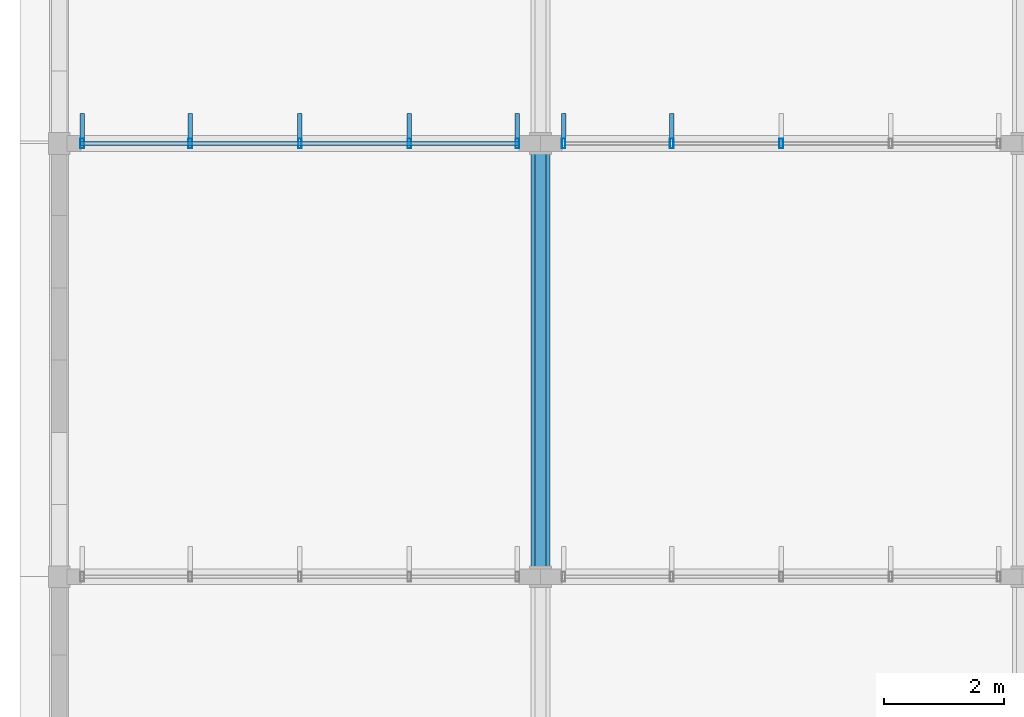
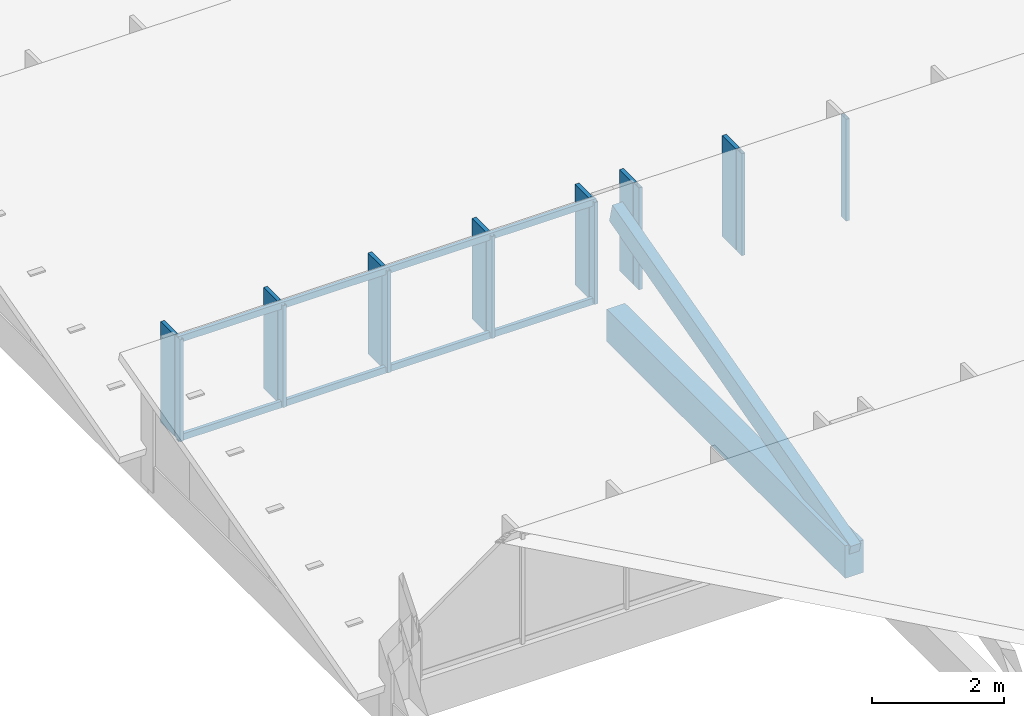
# One storey, part 26 of 94: 19 members, 2 elements without a shape of their own.
"""IFC4 building model written with IfcOpenShell, lengths in metres."""

import ifcopenshell
import ifcopenshell.guid

model = None  # the IFC model being written
_history = None  # IfcOwnerHistory: only IFC2X3 demands one
_inside = {}  # id of a spatial element -> (the spatial element, [elements in it])
_under = {}  # id of a project, library or spatial element -> (it, [spatial elements below it])
_declared = {}  # id of a project -> (the project, [libraries it declares])
_typed = {}  # id of a type object -> (the type object, [elements of that type])
_made_of = {}  # id of a material, layer set ... -> (it, [elements and type objects made of it])


def new_model(schema):
    """Start an empty IFC model of exactly this schema.

    Asked for "IFC4X3", IfcOpenShell would pick the latest addendum, in which some entities
    have other attributes; the version numbers below select the first issue.
    IFC2X3 requires an IfcOwnerHistory on every rooted entity: one is made here for all.
    """
    global model, _history
    if schema == "IFC4X3":
        model = ifcopenshell.file(schema_version=(4, 3, 0, 0))
    else:
        model = ifcopenshell.file(schema=schema)
    _inside.clear()
    _under.clear()
    _declared.clear()
    _typed.clear()
    _made_of.clear()
    _history = None
    if model.schema == "IFC2X3":
        org = make("IfcOrganization", Name="unknown")
        user = make(
            "IfcPersonAndOrganization",
            ThePerson=make("IfcPerson", FamilyName="unknown"),
            TheOrganization=org,
        )
        app = make(
            "IfcApplication",
            ApplicationDeveloper=org,
            Version="unknown",
            ApplicationFullName="unknown",
            ApplicationIdentifier="unknown",
        )
        _history = make(
            "IfcOwnerHistory",
            OwningUser=user,
            OwningApplication=app,
            ChangeAction="ADDED",
            CreationDate=0,
        )
    return model


def make(cls, **values):
    """One entity of the class cls with the attributes given. An attribute that is None is left unset."""
    return model.create_entity(
        cls, **{name: value for name, value in values.items() if value is not None}
    )


def rooted(cls, **values):
    """An entity with a GlobalId (a new one), such as an element, a storey or a relation."""
    return make(cls, GlobalId=ifcopenshell.guid.new(), OwnerHistory=_history, **values)


def si_unit(unit_type, name, prefix=None):
    """IfcSIUnit, for example si_unit("LENGTHUNIT", "METRE", prefix="MILLI")."""
    return make("IfcSIUnit", UnitType=unit_type, Prefix=prefix, Name=name)


def assignment(units):
    """IfcUnitAssignment: the units of a project."""
    return None if units is None else make("IfcUnitAssignment", Units=units)


def point(xyz):
    """IfcCartesianPoint."""
    return None if xyz is None else make("IfcCartesianPoint", Coordinates=xyz)


def direction(xyz):
    """IfcDirection."""
    return None if xyz is None else make("IfcDirection", DirectionRatios=xyz)


def frame(location, z_axis=None, x_axis=None):
    """IfcAxis2Placement3D, a coordinate frame: its origin and axes. An axis left out is left unset."""
    return make(
        "IfcAxis2Placement3D",
        Location=point(location),
        Axis=direction(z_axis),
        RefDirection=direction(x_axis),
    )


def frame_2d(location, x_axis=None):
    """IfcAxis2Placement2D, a coordinate frame in the plane: its origin and x axis."""
    return make(
        "IfcAxis2Placement2D", Location=point(location), RefDirection=direction(x_axis)
    )


def origin():
    """The frame at (0, 0, 0) with its axes left unset."""
    return frame((0.0, 0.0, 0.0))


def origin_2d():
    """The frame at (0, 0) in the plane with its x axis left unset."""
    return frame_2d((0.0, 0.0))


def place(relative_to, where):
    """IfcLocalPlacement: puts the frame where relative to a parent placement (None: the world)."""
    return make(
        "IfcLocalPlacement", PlacementRelTo=relative_to, RelativePlacement=where
    )


def context(
    kind, dimensions, precision=None, world=None, true_north=None, identifier=None
):
    """IfcGeometricRepresentationContext, for example the 3D "Model" context."""
    return make(
        "IfcGeometricRepresentationContext",
        ContextIdentifier=identifier,
        ContextType=kind,
        CoordinateSpaceDimension=dimensions,
        Precision=precision,
        WorldCoordinateSystem=world,
        TrueNorth=true_north,
    )


def subcontext(parent, identifier, kind, view, scale=None):
    """IfcGeometricRepresentationSubContext, for example "Body" below "Model"."""
    return make(
        "IfcGeometricRepresentationSubContext",
        ContextIdentifier=identifier,
        ContextType=kind,
        ParentContext=parent,
        TargetScale=scale,
        TargetView=view,
    )


def project(units=None, contexts=None):
    """IfcProject with its units and contexts."""
    return rooted(
        "IfcProject",
        Name="project",
        RepresentationContexts=contexts,
        UnitsInContext=assignment(units),
    )


def spatial(cls, under=None, at=None, **own):
    """A site, building, storey or space (cls), placed at a placement, below another one or the project."""
    s = rooted(cls, ObjectPlacement=at, **own)
    if under is not None:
        _under.setdefault(under.id(), (under, []))[1].append(s)
    return s


def profile(cls, at=None, kind="AREA", **sizes):
    """A parametric profile (cls). Its sizes go by their IFC names, for example OverallWidth=200.0."""
    return make(cls, ProfileType=kind, Position=at, **sizes)


def rectangle(**sizes):
    """IfcRectangleProfileDef."""
    return profile("IfcRectangleProfileDef", **sizes)


def hollow_rectangle(**sizes):
    """IfcRectangleHollowProfileDef."""
    return profile("IfcRectangleHollowProfileDef", **sizes)


def extrude(swept, where, along, depth):
    """IfcExtrudedAreaSolid: the profile swept, set in the frame where, extruded along a direction by depth."""
    return make(
        "IfcExtrudedAreaSolid",
        SweptArea=swept,
        Position=where,
        ExtrudedDirection=direction(along),
        Depth=depth,
    )


def shape(context_of_items, identifier, shape_type, items):
    """IfcShapeRepresentation: the items that make up one representation, for example the "Body"."""
    return make(
        "IfcShapeRepresentation",
        ContextOfItems=context_of_items,
        RepresentationIdentifier=identifier,
        RepresentationType=shape_type,
        Items=items,
    )


def material(Name=None, Category=None):
    """IfcMaterial."""
    return make("IfcMaterial", Name=Name, Category=Category)


def material_profile(
    of_material, cross_section, Name=None, Category=None, Priority=None
):
    """IfcMaterialProfile: a cross section and its material."""
    return make(
        "IfcMaterialProfile",
        Name=Name,
        Material=of_material,
        Profile=cross_section,
        Priority=Priority,
        Category=Category,
    )


def profile_set(profiles, Name=None, composite=None):
    """IfcMaterialProfileSet."""
    return make(
        "IfcMaterialProfileSet",
        Name=Name,
        MaterialProfiles=profiles,
        CompositeProfile=composite,
    )


def made_of(thing, what):
    """Note that an element or type object is made of a material, layer set ...; save() writes the relation."""
    if what is not None:
        _made_of.setdefault(what.id(), (what, []))[1].append(thing)
    return thing


def type_object(cls, material=None, **own):
    """A type object (cls), such as IfcWallType, which elements share."""
    return made_of(rooted(cls, **own), material)


def element(
    cls,
    number,
    at=None,
    inside=None,
    cuts=None,
    type_object=None,
    material=None,
    context=None,
    identifier="Body",
    shape_type=None,
    held_by="IfcProductDefinitionShape",
    body=None,
    shapes=None,
    **own,
):
    """One element of the class cls, such as IfcWall. Its Tag is "e" and its number.

    at: its placement. inside: the storey or other place that contains it. cuts: it is an
    opening in that element (IfcRelVoidsElement). A single representation is given by context,
    identifier, shape_type and body (its items); several are given by shapes. held_by: the class
    of the entity that holds the representations. save() writes the other relations.
    """
    e = rooted(cls, Tag="e%d" % number, ObjectPlacement=at, **own)
    if body is not None:
        shapes = [shape(context, identifier, shape_type, body)]
    if shapes is not None:
        e.Representation = make(held_by, Representations=shapes)
    if inside is not None:
        _inside.setdefault(inside.id(), (inside, []))[1].append(e)
    if cuts is not None:
        rooted(
            "IfcRelVoidsElement", RelatingBuildingElement=cuts, RelatedOpeningElement=e
        )
    if type_object is not None:
        _typed.setdefault(type_object.id(), (type_object, []))[1].append(e)
    return made_of(e, material)


def aggregate(whole, parts):
    """IfcRelAggregates: a whole, such as a stair, and the parts it consists of."""
    return rooted("IfcRelAggregates", RelatingObject=whole, RelatedObjects=parts)


def save(model, path):
    """Write the relations noted so far, then the file.

    IfcRelAggregates (storeys below a building ...), IfcRelContainedInSpatialStructure (elements
    in a storey), IfcRelDefinesByType, IfcRelAssociatesMaterial and IfcRelDeclares: one each for
    every whole, place, type object, material and project.
    """
    for whole, parts in _under.values():
        aggregate(whole, parts)
    for where, things in _inside.values():
        rooted(
            "IfcRelContainedInSpatialStructure",
            RelatedElements=things,
            RelatingStructure=where,
        )
    for kind, things in _typed.values():
        rooted("IfcRelDefinesByType", RelatedObjects=things, RelatingType=kind)
    for what, things in _made_of.values():
        rooted("IfcRelAssociatesMaterial", RelatedObjects=things, RelatingMaterial=what)
    for by, libraries in _declared.values():
        rooted("IfcRelDeclares", RelatingContext=by, RelatedDefinitions=libraries)
    model.write(path)


model = new_model("IFC4")

# Units and contexts
model_context = context("Model", 3, precision=1e-05, world=origin(), true_north=direction((0.0, 1.0)))
body_context = subcontext(model_context, "Body", "Model", "MODEL_VIEW")
ifc_project = project(units=[si_unit("LENGTHUNIT", "METRE"), si_unit("AREAUNIT", "SQUARE_METRE"), si_unit("VOLUMEUNIT", "CUBIC_METRE"), si_unit("PLANEANGLEUNIT", "RADIAN"), si_unit("MASSUNIT", "GRAM", prefix="KILO")], contexts=[model_context])

# Site, building, storey
site_placement = place(None, origin())
site = spatial("IfcSite", under=ifc_project, at=site_placement, CompositionType="ELEMENT")
building_placement = place(site_placement, origin())
building = spatial("IfcBuilding", under=site, at=building_placement, Name="Chiffa Square Polytechnic", CompositionType="ELEMENT")
storey_placement = place(building_placement, frame((0.0, 0.0, 18.0)))
storey = spatial("IfcBuildingStorey", under=building, at=storey_placement, Name="L04", CompositionType="ELEMENT", Elevation=18.0)

# Curtain wall, members
ifc_material_1 = material(Name="Aluminium EN AW-6060 T66 and glulam shading", Category="wood")
curtain_wall_type_1 = type_object("IfcCurtainWallType", Name="CW-VERT-480X380", PredefinedType="USERDEFINED", material=ifc_material_1)
curtain_wall_1_placement = place(storey_placement, origin())
curtain_wall_1 = element("IfcCurtainWall", 1, at=curtain_wall_1_placement, inside=storey, type_object=curtain_wall_type_1, Name="Curtain wall CW-V6-SAW5-1", ObjectType="CURTAIN WALL", PredefinedType="USERDEFINED")
ifc_material_2 = material(Name="Aluminium EN AW-6060 T66", Category="aluminium")
ifc_material_profile_1 = material_profile(ifc_material_2, hollow_rectangle(XDim=0.06005859375, YDim=0.159912109375, WallThickness=0.00390625, at=origin_2d()), Name="ALU 60x160x4")
ifc_profile_set_1 = profile_set([ifc_material_profile_1], Name="Aluminium EN AW-6060 T66")
member_type_1 = type_object("IfcMemberType", Name="CWM-ALU-65X150", PredefinedType="MULLION", material=ifc_profile_set_1)
member_1_placement = place(storey_placement, frame((7.614990234375, 72.60009765625, 0.699951171875), z_axis=(0.0, 0.0, 1.0), x_axis=(1.0, 0.0, 0.0)))
member_1 = element("IfcMember", 2, at=member_1_placement, type_object=member_type_1, Name="Curtain wall mullion CW-V6-SAW5-1-M00", PredefinedType="MULLION", context=body_context, shape_type="SweptSolid", body=[
    extrude(hollow_rectangle(XDim=0.06005859375, YDim=0.159912109375, WallThickness=0.00390625, at=origin_2d()), origin(), (0.0, 0.0, 1.0), 1.879150390625),
])
member_2_placement = place(storey_placement, frame((5.820068359375, 72.60009765625, 0.699951171875), z_axis=(0.0, 0.0, 1.0), x_axis=(1.0, 0.0, 0.0)))
member_2 = element("IfcMember", 3, at=member_2_placement, type_object=member_type_1, Name="Curtain wall mullion CW-V6-SAW5-1-M01", PredefinedType="MULLION", context=body_context, shape_type="SweptSolid", body=[
    extrude(hollow_rectangle(XDim=0.06005859375, YDim=0.159912109375, WallThickness=0.00390625, at=origin_2d()), origin(), (0.0, 0.0, 1.0), 1.879150390625),
])
member_3_placement = place(storey_placement, frame((4.0, 72.60009765625, 0.699951171875), z_axis=(0.0, 0.0, 1.0), x_axis=(1.0, 0.0, 0.0)))
member_3 = element("IfcMember", 4, at=member_3_placement, type_object=member_type_1, Name="Curtain wall mullion CW-V6-SAW5-1-M02", PredefinedType="MULLION", context=body_context, shape_type="SweptSolid", body=[
    extrude(hollow_rectangle(XDim=0.06005859375, YDim=0.159912109375, WallThickness=0.00390625, at=origin_2d()), origin(), (0.0, 0.0, 1.0), 1.879150390625),
])
member_4_placement = place(storey_placement, frame((2.179931640625, 72.60009765625, 0.699951171875), z_axis=(0.0, 0.0, 1.0), x_axis=(1.0, 0.0, 0.0)))
member_4 = element("IfcMember", 5, at=member_4_placement, type_object=member_type_1, Name="Curtain wall mullion CW-V6-SAW5-1-M03", PredefinedType="MULLION", context=body_context, shape_type="SweptSolid", body=[
    extrude(hollow_rectangle(XDim=0.06005859375, YDim=0.159912109375, WallThickness=0.00390625, at=origin_2d()), origin(), (0.0, 0.0, 1.0), 1.879150390625),
])
member_5_placement = place(storey_placement, frame((0.385009765625, 72.60009765625, 0.699951171875), z_axis=(0.0, 0.0, 1.0), x_axis=(1.0, 0.0, 0.0)))
member_5 = element("IfcMember", 6, at=member_5_placement, type_object=member_type_1, Name="Curtain wall mullion CW-V6-SAW5-1-M04", PredefinedType="MULLION", context=body_context, shape_type="SweptSolid", body=[
    extrude(hollow_rectangle(XDim=0.06005859375, YDim=0.159912109375, WallThickness=0.00390625, at=origin_2d()), origin(), (0.0, 0.0, 1.0), 1.879150390625),
])

curtain_wall_type_2 = type_object("IfcCurtainWallType", Name="CW-VERT-540X440", PredefinedType="USERDEFINED", material=ifc_material_1)
curtain_wall_2_placement = place(storey_placement, origin())
curtain_wall_2 = element("IfcCurtainWall", 7, at=curtain_wall_2_placement, inside=storey, type_object=curtain_wall_type_2, Name="Curtain wall CW-V6-SAW5-2", ObjectType="CURTAIN WALL", PredefinedType="USERDEFINED")
member_6_placement = place(storey_placement, frame((12.0, 72.60009765625, 0.699951171875), z_axis=(0.0, 0.0, 1.0), x_axis=(1.0, 0.0, 0.0)))
member_6 = element("IfcMember", 8, at=member_6_placement, type_object=member_type_1, Name="Curtain wall mullion CW-V6-SAW5-2-M02", PredefinedType="MULLION", context=body_context, shape_type="SweptSolid", body=[
    extrude(hollow_rectangle(XDim=0.06005859375, YDim=0.159912109375, WallThickness=0.00390625, at=origin_2d()), origin(), (0.0, 0.0, 1.0), 1.879150390625),
])
member_7_placement = place(storey_placement, frame((10.179931640625, 72.60009765625, 0.699951171875), z_axis=(0.0, 0.0, 1.0), x_axis=(1.0, 0.0, 0.0)))
member_7 = element("IfcMember", 9, at=member_7_placement, type_object=member_type_1, Name="Curtain wall mullion CW-V6-SAW5-2-M03", PredefinedType="MULLION", context=body_context, shape_type="SweptSolid", body=[
    extrude(hollow_rectangle(XDim=0.06005859375, YDim=0.159912109375, WallThickness=0.00390625, at=origin_2d()), origin(), (0.0, 0.0, 1.0), 1.879150390625),
])
member_8_placement = place(storey_placement, frame((8.385009765625, 72.60009765625, 0.699951171875), z_axis=(0.0, 0.0, 1.0), x_axis=(1.0, 0.0, 0.0)))
member_8 = element("IfcMember", 10, at=member_8_placement, type_object=member_type_1, Name="Curtain wall mullion CW-V6-SAW5-2-M04", PredefinedType="MULLION", context=body_context, shape_type="SweptSolid", body=[
    extrude(hollow_rectangle(XDim=0.06005859375, YDim=0.159912109375, WallThickness=0.00390625, at=origin_2d()), origin(), (0.0, 0.0, 1.0), 1.879150390625),
])

# Member
ifc_material_3 = material(Name="Glulam GL28h", Category="wood")
ifc_material_profile_2 = material_profile(ifc_material_3, rectangle(XDim=0.070068359375, YDim=0.419921875, at=origin_2d()), Name="GL28h 70x420")
ifc_profile_set_2 = profile_set([ifc_material_profile_2], Name="Glulam GL28h")
member_type_2 = type_object("IfcMemberType", Name="CWM-GL-70X420", PredefinedType="MULLION", material=ifc_profile_set_2)
member_9_placement = place(storey_placement, frame((7.614990234375, 72.89208984375, 0.7099609375), z_axis=(0.0, 0.0, 1.0), x_axis=(-1.0, 0.0, 0.0)))
member_9 = element("IfcMember", 11, at=member_9_placement, type_object=member_type_2, Name="Exterior glulam solar fin CW-V6-SAW5-1-FN00", PredefinedType="MULLION", context=body_context, shape_type="SweptSolid", body=[
    extrude(rectangle(XDim=0.070068359375, YDim=0.419921875, at=origin_2d()), origin(), (0.0, 0.0, 1.0), 1.859130859375),
])

member_10_placement = place(storey_placement, frame((5.820068359375, 72.89208984375, 0.7099609375), z_axis=(0.0, 0.0, 1.0), x_axis=(-1.0, 0.0, 0.0)))
member_10 = element("IfcMember", 12, at=member_10_placement, type_object=member_type_2, Name="Exterior glulam solar fin CW-V6-SAW5-1-FN01", PredefinedType="MULLION", context=body_context, shape_type="SweptSolid", body=[
    extrude(rectangle(XDim=0.070068359375, YDim=0.419921875, at=origin_2d()), origin(), (0.0, 0.0, 1.0), 1.859130859375),
])

member_11_placement = place(storey_placement, frame((4.0, 72.89208984375, 0.7099609375), z_axis=(0.0, 0.0, 1.0), x_axis=(-1.0, 0.0, 0.0)))
member_11 = element("IfcMember", 13, at=member_11_placement, type_object=member_type_2, Name="Exterior glulam solar fin CW-V6-SAW5-1-FN02", PredefinedType="MULLION", context=body_context, shape_type="SweptSolid", body=[
    extrude(rectangle(XDim=0.070068359375, YDim=0.419921875, at=origin_2d()), origin(), (0.0, 0.0, 1.0), 1.859130859375),
])

member_12_placement = place(storey_placement, frame((2.179931640625, 72.89208984375, 0.7099609375), z_axis=(0.0, 0.0, 1.0), x_axis=(-1.0, 0.0, 0.0)))
member_12 = element("IfcMember", 14, at=member_12_placement, type_object=member_type_2, Name="Exterior glulam solar fin CW-V6-SAW5-1-FN03", PredefinedType="MULLION", context=body_context, shape_type="SweptSolid", body=[
    extrude(rectangle(XDim=0.070068359375, YDim=0.419921875, at=origin_2d()), origin(), (0.0, 0.0, 1.0), 1.859130859375),
])

member_13_placement = place(storey_placement, frame((0.385009765625, 72.89208984375, 0.7099609375), z_axis=(0.0, 0.0, 1.0), x_axis=(-1.0, 0.0, 0.0)))
member_13 = element("IfcMember", 15, at=member_13_placement, type_object=member_type_2, Name="Exterior glulam solar fin CW-V6-SAW5-1-FN04", PredefinedType="MULLION", context=body_context, shape_type="SweptSolid", body=[
    extrude(rectangle(XDim=0.070068359375, YDim=0.419921875, at=origin_2d()), origin(), (0.0, 0.0, 1.0), 1.859130859375),
])

member_14_placement = place(storey_placement, frame((10.179931640625, 72.89208984375, 0.7099609375), z_axis=(0.0, 0.0, 1.0), x_axis=(-1.0, 0.0, 0.0)))
member_14 = element("IfcMember", 16, at=member_14_placement, type_object=member_type_2, Name="Exterior glulam solar fin CW-V6-SAW5-2-FN03", PredefinedType="MULLION", context=body_context, shape_type="SweptSolid", body=[
    extrude(rectangle(XDim=0.070068359375, YDim=0.419921875, at=origin_2d()), origin(), (0.0, 0.0, 1.0), 1.859130859375),
])

member_15_placement = place(storey_placement, frame((8.385009765625, 72.89208984375, 0.7099609375), z_axis=(0.0, 0.0, 1.0), x_axis=(-1.0, 0.0, 0.0)))
member_15 = element("IfcMember", 17, at=member_15_placement, type_object=member_type_2, Name="Exterior glulam solar fin CW-V6-SAW5-2-FN04", PredefinedType="MULLION", context=body_context, shape_type="SweptSolid", body=[
    extrude(rectangle(XDim=0.070068359375, YDim=0.419921875, at=origin_2d()), origin(), (0.0, 0.0, 1.0), 1.859130859375),
])

aggregate(curtain_wall_2, [member_6, member_7, member_14, member_8, member_15])

ifc_material_profile_3 = material_profile(ifc_material_2, hollow_rectangle(XDim=0.06005859375, YDim=0.1201171875, WallThickness=0.00390625, at=origin_2d()), Name="ALU 60x120x4")
ifc_profile_set_3 = profile_set([ifc_material_profile_3], Name="Aluminium EN AW-6060 T66")
member_type_3 = type_object("IfcMemberType", Name="CWT-ALU-65X120", PredefinedType="USERDEFINED", material=ifc_profile_set_3)
member_16_placement = place(storey_placement, frame((7.64208984375, 72.60009765625, 0.72998046875), z_axis=(-1.0, 0.0, 0.0), x_axis=(0.0, -1.0, 0.0)))
member_16 = element("IfcMember", 18, at=member_16_placement, type_object=member_type_3, Name="Curtain wall transom CW-V6-SAW5-1-T01", ObjectType="TRANSOM", PredefinedType="USERDEFINED", context=body_context, shape_type="SweptSolid", body=[
    extrude(hollow_rectangle(XDim=0.06005859375, YDim=0.1201171875, WallThickness=0.00390625, at=origin_2d()), origin(), (0.0, 0.0, 1.0), 7.2841796875),
])

member_17_placement = place(storey_placement, frame((7.64208984375, 72.60009765625, 2.549072265625), z_axis=(-1.0, 0.0, 0.0), x_axis=(0.0, -1.0, 0.0)))
member_17 = element("IfcMember", 19, at=member_17_placement, type_object=member_type_3, Name="Curtain wall transom CW-V6-SAW5-1-T02", ObjectType="TRANSOM", PredefinedType="USERDEFINED", context=body_context, shape_type="SweptSolid", body=[
    extrude(hollow_rectangle(XDim=0.06005859375, YDim=0.1201171875, WallThickness=0.00390625, at=origin_2d()), origin(), (0.0, 0.0, 1.0), 7.2841796875),
])

aggregate(curtain_wall_1, [member_1, member_9, member_2, member_10, member_3, member_11, member_4, member_12, member_5, member_13, member_16, member_17])

# Members
ifc_material_4 = material(Name="Glulam GL32c", Category="wood")
ifc_material_profile_4 = material_profile(ifc_material_4, rectangle(XDim=0.320068359375, YDim=0.60009765625, at=origin_2d()), Name="GL32c 320x600")
ifc_profile_set_4 = profile_set([ifc_material_profile_4], Name="Glulam GL32c")
member_type_4 = type_object("IfcMemberType", Name="MEM-CHORD-GL320", PredefinedType="CHORD", material=ifc_profile_set_4)
member_18_placement = place(storey_placement, frame((8.0, 65.39990234375, 0.179931640625), z_axis=(0.0, 1.0, 0.0), x_axis=(-1.0, 0.0, 0.0)))
element("IfcMember", 20, at=member_18_placement, inside=storey, type_object=member_type_4, Name="Studio sawtooth tie chord TCB-V6-SAW-022", PredefinedType="CHORD", context=body_context, shape_type="SweptSolid", body=[
    extrude(rectangle(XDim=0.320068359375, YDim=0.60009765625, at=origin_2d()), origin(), (0.0, 0.0, 1.0), 7.2001953125),
])
ifc_material_profile_5 = material_profile(ifc_material_3, rectangle(XDim=0.179931640625, YDim=0.360107421875, at=origin_2d()), Name="GL28h 180x360")
ifc_profile_set_5 = profile_set([ifc_material_profile_5], Name="Glulam GL28h")
member_type_5 = type_object("IfcMemberType", Name="MEM-RFT-GL180", PredefinedType="RAFTER", material=ifc_profile_set_5)
member_19_placement = place(storey_placement, frame((8.0, 65.39990234375, 0.300048828125), z_axis=(0.0, 0.965936941461, 0.258777559151), x_axis=(-1.0, 0.0, 0.0)))
element("IfcMember", 21, at=member_19_placement, inside=storey, type_object=member_type_5, Name="Studio sawtooth glulam rafter RF-V6-L04-022", PredefinedType="RAFTER", context=body_context, shape_type="SweptSolid", body=[
    extrude(rectangle(XDim=0.179931640625, YDim=0.360107421875, at=origin_2d()), origin(), (0.0, 0.0, 1.0), 7.4541015625),
])

save(model, "model.ifc")
